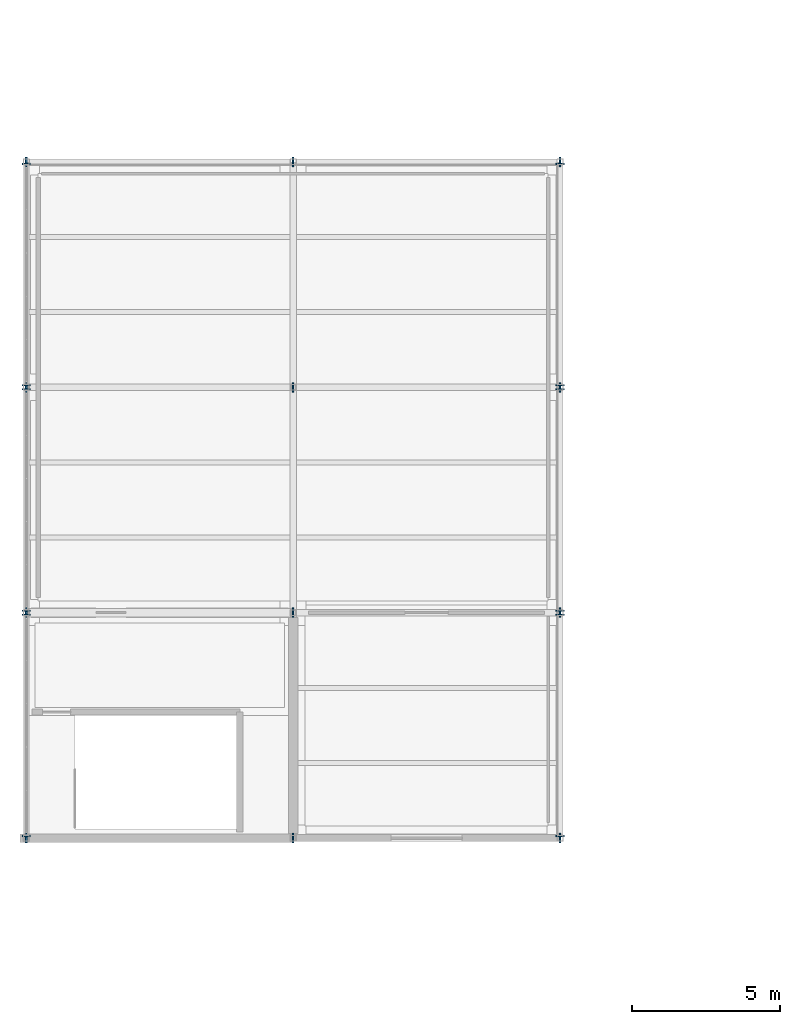
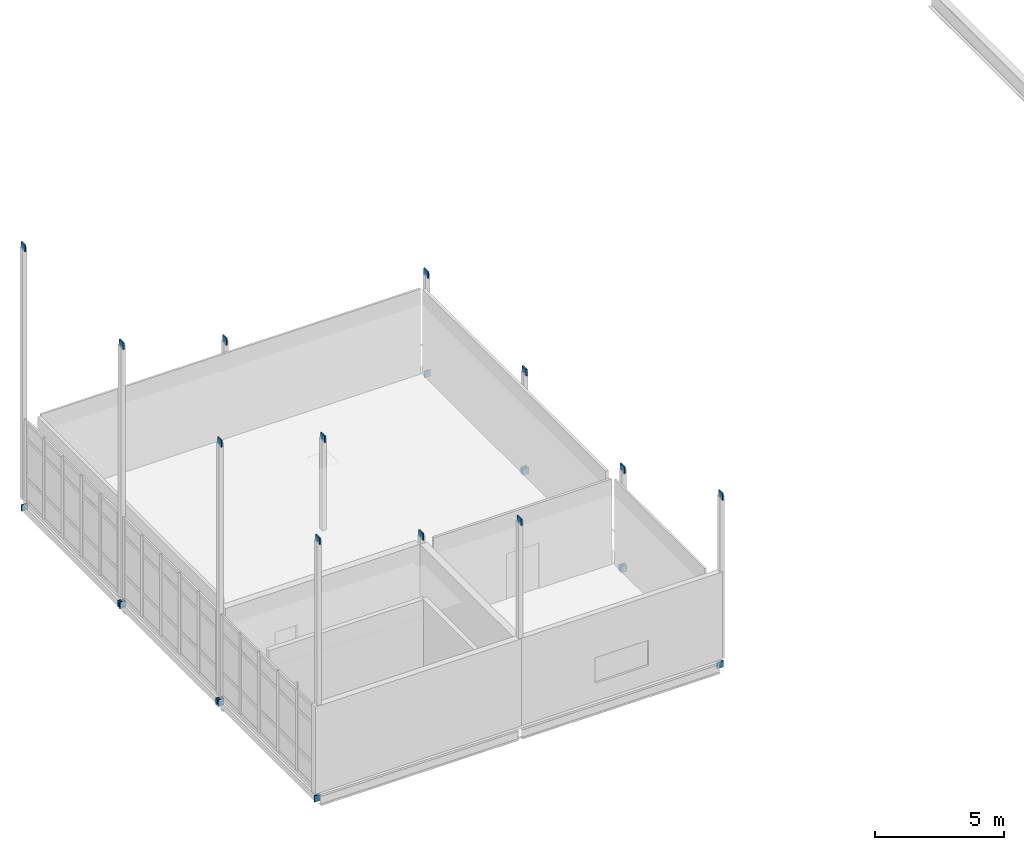
# One storey, part 75 of 96: 24 plates.
"""IFC4 building model written with IfcOpenShell, lengths in metres."""

from ifc_helpers import new_model, si_unit, direction, frame, origin, origin_2d, place, context, subcontext, project, spatial, rectangle, extrude, material, layer, layer_set, type_object, element, save


model = new_model("IFC4")

# Units and contexts
model_context = context("Model", 3, precision=1e-05, world=origin(), true_north=direction((0.0, 1.0)))
body_context = subcontext(model_context, "Body", "Model", "MODEL_VIEW")
ifc_project = project(units=[si_unit("LENGTHUNIT", "METRE"), si_unit("AREAUNIT", "SQUARE_METRE"), si_unit("VOLUMEUNIT", "CUBIC_METRE"), si_unit("PLANEANGLEUNIT", "RADIAN"), si_unit("MASSUNIT", "GRAM", prefix="KILO")], contexts=[model_context])

# Site, building, storey
site_placement = place(None, origin())
site = spatial("IfcSite", under=ifc_project, at=site_placement, CompositionType="ELEMENT")
building_placement = place(site_placement, origin())
building = spatial("IfcBuilding", under=site, at=building_placement, Name="Caisbarro Railhouse Central Library", CompositionType="ELEMENT")
storey_placement = place(building_placement, frame((0.0, 0.0, 13.679931640625)))
storey = spatial("IfcBuildingStorey", under=building, at=storey_placement, Name="L03", CompositionType="ELEMENT", Elevation=13.679931640625)

# Plates
ifc_material = material(Name="Steel ASTM A572 Grade 50", Category="steel")
ifc_layer_1 = layer(ifc_material, 0.044921875, Name="Steel ASTM A572 Grade 50")
ifc_layer_set_1 = layer_set([ifc_layer_1], Name="Steel ASTM A572 Grade 50")
plate_type_1 = type_object("IfcPlateType", Name="PLT-EP01", PredefinedType="SHEET", material=ifc_layer_set_1)
for number, where, z_axis, x_axis, name in (
    (1, (0.0, 30.468017578125, -0.52001953125), (0.0, 0.0, 1.0), (0.0, 1.0, 0.0), "EP01 end cap plate"),
    (2, (0.0, 37.931884765625, -0.52001953125), (0.0, 0.0, 1.0), (0.0, 1.0, 0.0), "EP01 end cap plate"),
    (3, (0.0, 38.068115234375, -0.52001953125), (0.0, 0.0, 1.0), (0.0, 1.0, 0.0), "EP01 end cap plate"),
    (4, (0.0, 45.531982421875, -0.52001953125), (0.0, 0.0, 1.0), (0.0, 1.0, 0.0), "EP01 end cap plate"),
    (5, (0.0, 45.66796875, -0.52001953125), (0.0, 0.0, 1.0), (0.0, 1.0, 0.0), "EP01 end cap plate"),
    (6, (0.0, 53.132080078125, -0.52001953125), (0.0, 0.0, 1.0), (0.0, 1.0, 0.0), "EP01 end cap plate"),
    (7, (18.0, 30.468017578125, -0.52001953125), (0.0, 0.0, 1.0), (0.0, 1.0, 0.0), "EP01 end cap plate"),
    (8, (18.0, 37.931884765625, -0.52001953125), (0.0, 0.0, 1.0), (0.0, 1.0, 0.0), "EP01 end cap plate"),
    (9, (18.0, 38.068115234375, -0.52001953125), (0.0, 0.0, 1.0), (0.0, 1.0, 0.0), "EP01 end cap plate"),
    (10, (18.0, 45.531982421875, -0.52001953125), (0.0, 0.0, 1.0), (0.0, 1.0, 0.0), "EP01 end cap plate"),
    (11, (18.0, 45.66796875, -0.52001953125), (0.0, 0.0, 1.0), (0.0, 1.0, 0.0), "EP01 end cap plate"),
    (12, (18.0, 53.132080078125, -0.52001953125), (0.0, 0.0, 1.0), (0.0, 1.0, 0.0), "EP01 end cap plate"),
):
    element("IfcPlate", number, at=place(storey_placement, frame(where, z_axis=z_axis, x_axis=x_axis)), inside=storey, type_object=plate_type_1, Name=name, PredefinedType="SHEET", context=body_context, shape_type="SweptSolid", body=[
        extrude(rectangle(XDim=0.044921875, YDim=0.280029296875, at=origin_2d()), origin(), (0.0, 0.0, 1.0), 0.300048828125),
    ])
ifc_layer_2 = layer(ifc_material, 0.054931640625, Name="Steel ASTM A572 Grade 50")
ifc_layer_set_2 = layer_set([ifc_layer_2], Name="Steel ASTM A572 Grade 50")
plate_type_2 = type_object("IfcPlateType", Name="PLT-EP02", PredefinedType="SHEET", material=ifc_layer_set_2)
for number, where, z_axis, x_axis, name in (
    (13, (0.0, 30.39990234375, 11.72216796875), (0.0, 0.0, 1.0), (1.0, 0.0, 0.0), "EP02 end cap plate"),
    (14, (0.0, 38.0, 11.72216796875), (0.0, 0.0, 1.0), (1.0, 0.0, 0.0), "EP02 end cap plate"),
    (15, (0.0, 45.60009765625, 11.72216796875), (0.0, 0.0, 1.0), (1.0, 0.0, 0.0), "EP02 end cap plate"),
    (16, (0.0, 53.199951171875, 11.72216796875), (0.0, 0.0, 1.0), (1.0, 0.0, 0.0), "EP02 end cap plate"),
    (17, (9.0, 30.39990234375, 9.47216796875), (0.0, 0.0, 1.0), (1.0, 0.0, 0.0), "EP02 end cap plate"),
    (18, (9.0, 38.0, 4.171875), (0.0, 0.0, 1.0), (1.0, 0.0, 0.0), "EP02 end cap plate"),
    (19, (9.0, 45.60009765625, 4.171875), (0.0, 0.0, 1.0), (1.0, 0.0, 0.0), "EP02 end cap plate"),
    (20, (9.0, 53.199951171875, 4.171875), (0.0, 0.0, 1.0), (1.0, 0.0, 0.0), "EP02 end cap plate"),
    (21, (18.0, 30.39990234375, 7.52197265625), (0.0, 0.0, 1.0), (1.0, 0.0, 0.0), "EP02 end cap plate"),
    (22, (18.0, 38.0, 4.171875), (0.0, 0.0, 1.0), (1.0, 0.0, 0.0), "EP02 end cap plate"),
    (23, (18.0, 45.60009765625, 4.171875), (0.0, 0.0, 1.0), (1.0, 0.0, 0.0), "EP02 end cap plate"),
    (24, (18.0, 53.199951171875, 4.171875), (0.0, 0.0, 1.0), (1.0, 0.0, 0.0), "EP02 end cap plate"),
):
    element("IfcPlate", number, at=place(storey_placement, frame(where, z_axis=z_axis, x_axis=x_axis)), inside=storey, type_object=plate_type_2, Name=name, PredefinedType="SHEET", context=body_context, shape_type="SweptSolid", body=[
        extrude(rectangle(XDim=0.054931640625, YDim=0.320068359375, at=origin_2d()), origin(), (0.0, 0.0, 1.0), 0.320068359375),
    ])

save(model, "model.ifc")
